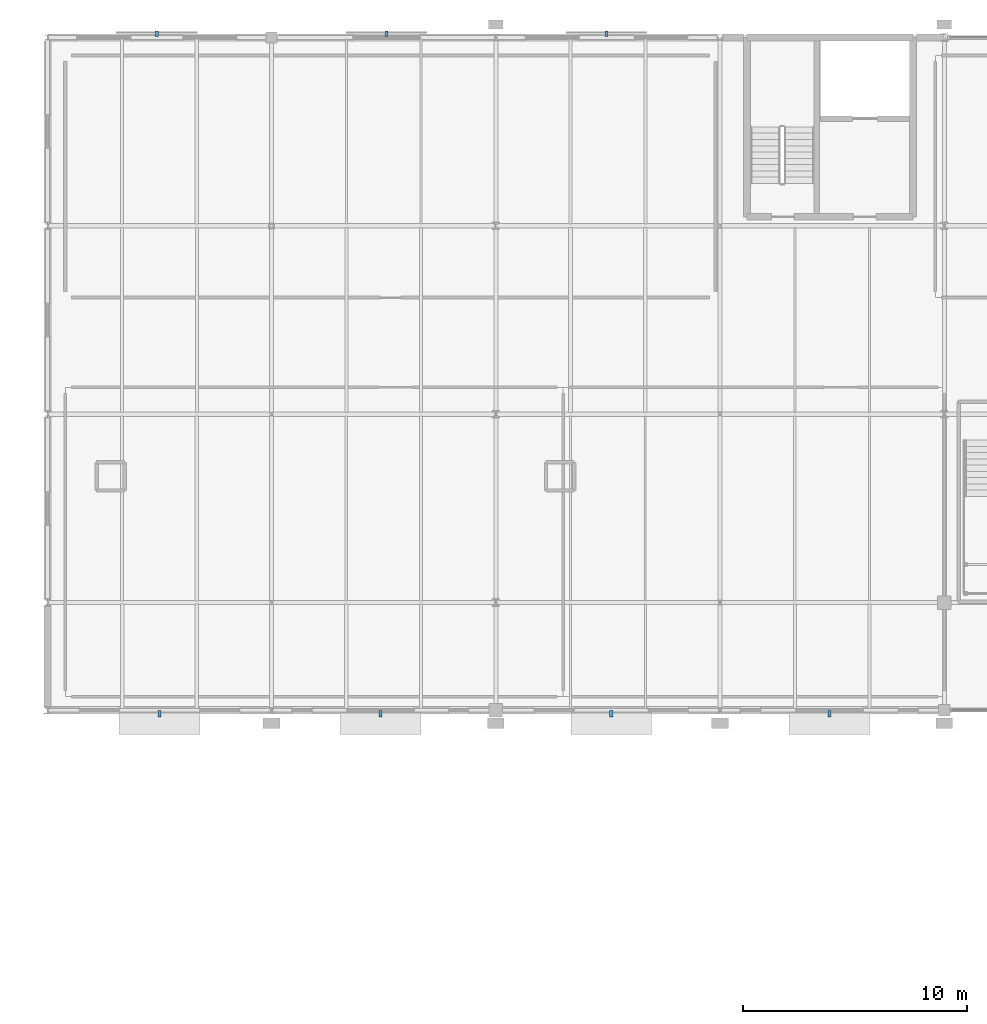
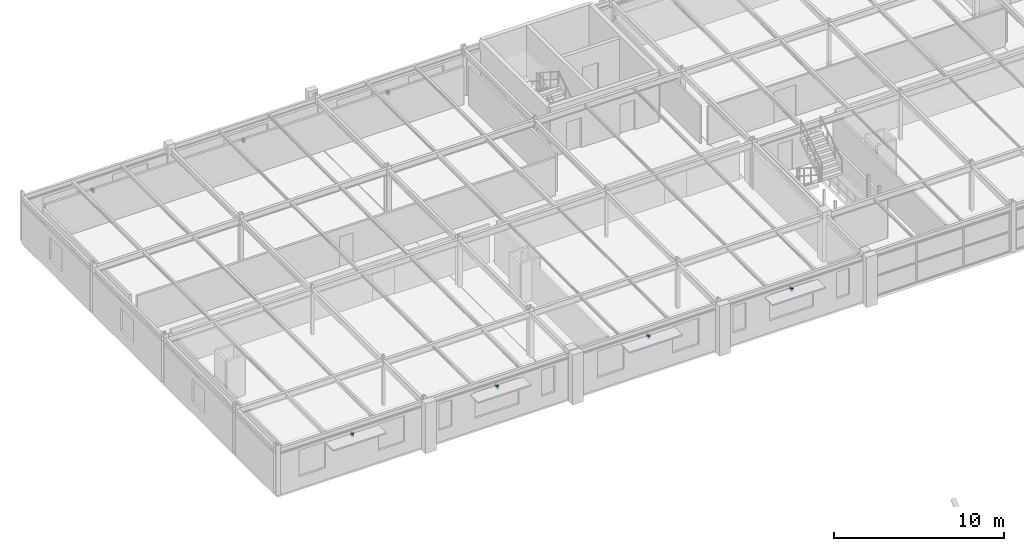
# One storey, part 103 of 109: 7 discrete accessories.
"""IFC4 building model written with IfcOpenShell, lengths in metres."""

import ifcopenshell
import ifcopenshell.guid

model = None  # the IFC model being written
_history = None  # IfcOwnerHistory: only IFC2X3 demands one
_inside = {}  # id of a spatial element -> (the spatial element, [elements in it])
_under = {}  # id of a project, library or spatial element -> (it, [spatial elements below it])
_declared = {}  # id of a project -> (the project, [libraries it declares])
_typed = {}  # id of a type object -> (the type object, [elements of that type])
_made_of = {}  # id of a material, layer set ... -> (it, [elements and type objects made of it])


def new_model(schema):
    """Start an empty IFC model of exactly this schema.

    Asked for "IFC4X3", IfcOpenShell would pick the latest addendum, in which some entities
    have other attributes; the version numbers below select the first issue.
    IFC2X3 requires an IfcOwnerHistory on every rooted entity: one is made here for all.
    """
    global model, _history
    if schema == "IFC4X3":
        model = ifcopenshell.file(schema_version=(4, 3, 0, 0))
    else:
        model = ifcopenshell.file(schema=schema)
    _inside.clear()
    _under.clear()
    _declared.clear()
    _typed.clear()
    _made_of.clear()
    _history = None
    if model.schema == "IFC2X3":
        org = make("IfcOrganization", Name="unknown")
        user = make(
            "IfcPersonAndOrganization",
            ThePerson=make("IfcPerson", FamilyName="unknown"),
            TheOrganization=org,
        )
        app = make(
            "IfcApplication",
            ApplicationDeveloper=org,
            Version="unknown",
            ApplicationFullName="unknown",
            ApplicationIdentifier="unknown",
        )
        _history = make(
            "IfcOwnerHistory",
            OwningUser=user,
            OwningApplication=app,
            ChangeAction="ADDED",
            CreationDate=0,
        )
    return model


def make(cls, **values):
    """One entity of the class cls with the attributes given. An attribute that is None is left unset."""
    return model.create_entity(
        cls, **{name: value for name, value in values.items() if value is not None}
    )


def rooted(cls, **values):
    """An entity with a GlobalId (a new one), such as an element, a storey or a relation."""
    return make(cls, GlobalId=ifcopenshell.guid.new(), OwnerHistory=_history, **values)


def si_unit(unit_type, name, prefix=None):
    """IfcSIUnit, for example si_unit("LENGTHUNIT", "METRE", prefix="MILLI")."""
    return make("IfcSIUnit", UnitType=unit_type, Prefix=prefix, Name=name)


def derived_unit(unit_type, elements):
    """IfcDerivedUnit: a product of units, each with its exponent."""
    return make(
        "IfcDerivedUnit",
        Elements=[
            make("IfcDerivedUnitElement", Unit=unit, Exponent=power)
            for unit, power in elements
        ],
        UnitType=unit_type,
    )


def assignment(units):
    """IfcUnitAssignment: the units of a project."""
    return None if units is None else make("IfcUnitAssignment", Units=units)


def point(xyz):
    """IfcCartesianPoint."""
    return None if xyz is None else make("IfcCartesianPoint", Coordinates=xyz)


def direction(xyz):
    """IfcDirection."""
    return None if xyz is None else make("IfcDirection", DirectionRatios=xyz)


def frame(location, z_axis=None, x_axis=None):
    """IfcAxis2Placement3D, a coordinate frame: its origin and axes. An axis left out is left unset."""
    return make(
        "IfcAxis2Placement3D",
        Location=point(location),
        Axis=direction(z_axis),
        RefDirection=direction(x_axis),
    )


def frame_2d(location, x_axis=None):
    """IfcAxis2Placement2D, a coordinate frame in the plane: its origin and x axis."""
    return make(
        "IfcAxis2Placement2D", Location=point(location), RefDirection=direction(x_axis)
    )


def origin():
    """The frame at (0, 0, 0) with its axes left unset."""
    return frame((0.0, 0.0, 0.0))


def origin_2d_with_axis():
    """The frame at (0, 0) in the plane with the x axis (1, 0) written out."""
    return frame_2d((0.0, 0.0), x_axis=(1.0, 0.0))


def place(relative_to, where):
    """IfcLocalPlacement: puts the frame where relative to a parent placement (None: the world)."""
    return make(
        "IfcLocalPlacement", PlacementRelTo=relative_to, RelativePlacement=where
    )


def context(
    kind, dimensions, precision=None, world=None, true_north=None, identifier=None
):
    """IfcGeometricRepresentationContext, for example the 3D "Model" context."""
    return make(
        "IfcGeometricRepresentationContext",
        ContextIdentifier=identifier,
        ContextType=kind,
        CoordinateSpaceDimension=dimensions,
        Precision=precision,
        WorldCoordinateSystem=world,
        TrueNorth=true_north,
    )


def subcontext(parent, identifier, kind, view, scale=None):
    """IfcGeometricRepresentationSubContext, for example "Body" below "Model"."""
    return make(
        "IfcGeometricRepresentationSubContext",
        ContextIdentifier=identifier,
        ContextType=kind,
        ParentContext=parent,
        TargetScale=scale,
        TargetView=view,
    )


def project(units=None, contexts=None):
    """IfcProject with its units and contexts."""
    return rooted(
        "IfcProject",
        Name="project",
        RepresentationContexts=contexts,
        UnitsInContext=assignment(units),
    )


def spatial(cls, under=None, at=None, **own):
    """A site, building, storey or space (cls), placed at a placement, below another one or the project."""
    s = rooted(cls, ObjectPlacement=at, **own)
    if under is not None:
        _under.setdefault(under.id(), (under, []))[1].append(s)
    return s


def profile(cls, at=None, kind="AREA", **sizes):
    """A parametric profile (cls). Its sizes go by their IFC names, for example OverallWidth=200.0."""
    return make(cls, ProfileType=kind, Position=at, **sizes)


def rectangle(**sizes):
    """IfcRectangleProfileDef."""
    return profile("IfcRectangleProfileDef", **sizes)


def extrude(swept, where, along, depth):
    """IfcExtrudedAreaSolid: the profile swept, set in the frame where, extruded along a direction by depth."""
    return make(
        "IfcExtrudedAreaSolid",
        SweptArea=swept,
        Position=where,
        ExtrudedDirection=direction(along),
        Depth=depth,
    )


def shape(context_of_items, identifier, shape_type, items):
    """IfcShapeRepresentation: the items that make up one representation, for example the "Body"."""
    return make(
        "IfcShapeRepresentation",
        ContextOfItems=context_of_items,
        RepresentationIdentifier=identifier,
        RepresentationType=shape_type,
        Items=items,
    )


def material(Name=None, Category=None):
    """IfcMaterial."""
    return make("IfcMaterial", Name=Name, Category=Category)


def made_of(thing, what):
    """Note that an element or type object is made of a material, layer set ...; save() writes the relation."""
    if what is not None:
        _made_of.setdefault(what.id(), (what, []))[1].append(thing)
    return thing


def type_object(cls, material=None, **own):
    """A type object (cls), such as IfcWallType, which elements share."""
    return made_of(rooted(cls, **own), material)


def element(
    cls,
    number,
    at=None,
    inside=None,
    cuts=None,
    type_object=None,
    material=None,
    context=None,
    identifier="Body",
    shape_type=None,
    held_by="IfcProductDefinitionShape",
    body=None,
    shapes=None,
    **own,
):
    """One element of the class cls, such as IfcWall. Its Tag is "e" and its number.

    at: its placement. inside: the storey or other place that contains it. cuts: it is an
    opening in that element (IfcRelVoidsElement). A single representation is given by context,
    identifier, shape_type and body (its items); several are given by shapes. held_by: the class
    of the entity that holds the representations. save() writes the other relations.
    """
    e = rooted(cls, Tag="e%d" % number, ObjectPlacement=at, **own)
    if body is not None:
        shapes = [shape(context, identifier, shape_type, body)]
    if shapes is not None:
        e.Representation = make(held_by, Representations=shapes)
    if inside is not None:
        _inside.setdefault(inside.id(), (inside, []))[1].append(e)
    if cuts is not None:
        rooted(
            "IfcRelVoidsElement", RelatingBuildingElement=cuts, RelatedOpeningElement=e
        )
    if type_object is not None:
        _typed.setdefault(type_object.id(), (type_object, []))[1].append(e)
    return made_of(e, material)


def aggregate(whole, parts):
    """IfcRelAggregates: a whole, such as a stair, and the parts it consists of."""
    return rooted("IfcRelAggregates", RelatingObject=whole, RelatedObjects=parts)


def save(model, path):
    """Write the relations noted so far, then the file.

    IfcRelAggregates (storeys below a building ...), IfcRelContainedInSpatialStructure (elements
    in a storey), IfcRelDefinesByType, IfcRelAssociatesMaterial and IfcRelDeclares: one each for
    every whole, place, type object, material and project.
    """
    for whole, parts in _under.values():
        aggregate(whole, parts)
    for where, things in _inside.values():
        rooted(
            "IfcRelContainedInSpatialStructure",
            RelatedElements=things,
            RelatingStructure=where,
        )
    for kind, things in _typed.values():
        rooted("IfcRelDefinesByType", RelatedObjects=things, RelatingType=kind)
    for what, things in _made_of.values():
        rooted("IfcRelAssociatesMaterial", RelatedObjects=things, RelatingMaterial=what)
    for by, libraries in _declared.values():
        rooted("IfcRelDeclares", RelatingContext=by, RelatedDefinitions=libraries)
    model.write(path)


model = new_model("IFC4")

# Units and contexts
model_context = context("Model", 3, precision=1e-05, world=origin(), true_north=direction((0.0, 1.0)))
body_context = subcontext(model_context, "Body", "Model", "MODEL_VIEW")
ifc_project = project(units=[si_unit("LENGTHUNIT", "METRE"), si_unit("AREAUNIT", "SQUARE_METRE"), si_unit("VOLUMEUNIT", "CUBIC_METRE"), si_unit("PLANEANGLEUNIT", "RADIAN"), si_unit("MASSUNIT", "GRAM", prefix="KILO"), derived_unit("THERMALTRANSMITTANCEUNIT", [(si_unit("POWERUNIT", "WATT"), 1), (si_unit("LENGTHUNIT", "METRE"), -2), (si_unit("THERMODYNAMICTEMPERATUREUNIT", "KELVIN"), -1)])], contexts=[model_context])

# Site, building, storey
site_placement = place(None, origin())
site = spatial("IfcSite", under=ifc_project, at=site_placement, CompositionType="ELEMENT")
building_placement = place(site_placement, origin())
building = spatial("IfcBuilding", under=site, at=building_placement, Name="Cinnabar Yard Market Hall", CompositionType="ELEMENT")
storey_placement = place(building_placement, frame((0.0, 0.0, 8.39990234375)))
storey = spatial("IfcBuildingStorey", under=building, at=storey_placement, Name="L02", CompositionType="ELEMENT", Elevation=8.39990234375)

# Discrete accessories
ifc_material = material(Name="Galvanised steel Grade 350 (350 MPa)", Category="steel")
discrete_accessory_type = type_object("IfcDiscreteAccessoryType", Name="ACC-BRK1", PredefinedType="BRACKET", material=ifc_material)
discrete_accessory_1_placement = place(storey_placement, frame((71.0009765625, 107.840087890625, 2.5302734375), z_axis=(0.0, 0.0, 1.0), x_axis=(1.0, 0.0, 0.0)))
element("IfcDiscreteAccessory", 1, at=discrete_accessory_1_placement, inside=storey, type_object=discrete_accessory_type, Name="Chhajja Bracket V3S-L02-1", PredefinedType="BRACKET", context=body_context, shape_type="SweptSolid", body=[
    extrude(rectangle(XDim=0.139892578125, YDim=0.280029296875, at=origin_2d_with_axis()), origin(), (0.0, 0.0, 1.0), 0.219970703125),
])
discrete_accessory_2_placement = place(storey_placement, frame((70.8779296875, 138.159912109375, 1.740234375), z_axis=(0.0, 0.0, 1.0), x_axis=(1.0, 0.0, 0.0)))
element("IfcDiscreteAccessory", 2, at=discrete_accessory_2_placement, inside=storey, type_object=discrete_accessory_type, Name="Jali Bracket V3N-L02-1", PredefinedType="BRACKET", context=body_context, shape_type="SweptSolid", body=[
    extrude(rectangle(XDim=0.139892578125, YDim=0.239990234375, at=origin_2d_with_axis()), origin(), (0.0, 0.0, 1.0), 0.219970703125),
])
discrete_accessory_3_placement = place(storey_placement, frame((80.85302734375, 107.840087890625, 2.5302734375), z_axis=(0.0, 0.0, 1.0), x_axis=(1.0, 0.0, 0.0)))
element("IfcDiscreteAccessory", 3, at=discrete_accessory_3_placement, inside=storey, type_object=discrete_accessory_type, Name="Chhajja Bracket V3S-L02-2", PredefinedType="BRACKET", context=body_context, shape_type="SweptSolid", body=[
    extrude(rectangle(XDim=0.139892578125, YDim=0.280029296875, at=origin_2d_with_axis()), origin(), (0.0, 0.0, 1.0), 0.219970703125),
])
discrete_accessory_4_placement = place(storey_placement, frame((81.1220703125, 138.159912109375, 1.740234375), z_axis=(0.0, 0.0, 1.0), x_axis=(1.0, 0.0, 0.0)))
element("IfcDiscreteAccessory", 4, at=discrete_accessory_4_placement, inside=storey, type_object=discrete_accessory_type, Name="Jali Bracket V3N-L02-2", PredefinedType="BRACKET", context=body_context, shape_type="SweptSolid", body=[
    extrude(rectangle(XDim=0.139892578125, YDim=0.239990234375, at=origin_2d_with_axis()), origin(), (0.0, 0.0, 1.0), 0.219970703125),
])
discrete_accessory_5_placement = place(storey_placement, frame((91.14697265625, 107.840087890625, 2.5302734375), z_axis=(0.0, 0.0, 1.0), x_axis=(1.0, 0.0, 0.0)))
element("IfcDiscreteAccessory", 5, at=discrete_accessory_5_placement, inside=storey, type_object=discrete_accessory_type, Name="Chhajja Bracket V3S-L02-3", PredefinedType="BRACKET", context=body_context, shape_type="SweptSolid", body=[
    extrude(rectangle(XDim=0.139892578125, YDim=0.280029296875, at=origin_2d_with_axis()), origin(), (0.0, 0.0, 1.0), 0.219970703125),
])
discrete_accessory_6_placement = place(storey_placement, frame((90.939697265625, 138.159912109375, 1.740234375), z_axis=(0.0, 0.0, 1.0), x_axis=(1.0, 0.0, 0.0)))
element("IfcDiscreteAccessory", 6, at=discrete_accessory_6_placement, inside=storey, type_object=discrete_accessory_type, Name="Jali Bracket V3N-L02-3", PredefinedType="BRACKET", context=body_context, shape_type="SweptSolid", body=[
    extrude(rectangle(XDim=0.139892578125, YDim=0.239990234375, at=origin_2d_with_axis()), origin(), (0.0, 0.0, 1.0), 0.219970703125),
])
discrete_accessory_7_placement = place(storey_placement, frame((100.8779296875, 107.840087890625, 2.5302734375), z_axis=(0.0, 0.0, 1.0), x_axis=(1.0, 0.0, 0.0)))
element("IfcDiscreteAccessory", 7, at=discrete_accessory_7_placement, inside=storey, type_object=discrete_accessory_type, Name="Chhajja Bracket V3S-L02-4", PredefinedType="BRACKET", context=body_context, shape_type="SweptSolid", body=[
    extrude(rectangle(XDim=0.139892578125, YDim=0.280029296875, at=origin_2d_with_axis()), origin(), (0.0, 0.0, 1.0), 0.219970703125),
])

save(model, "model.ifc")
